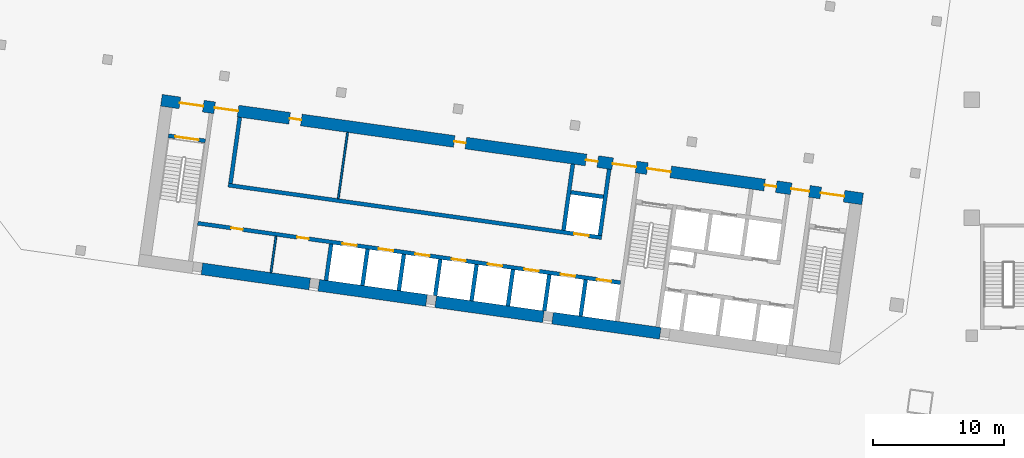
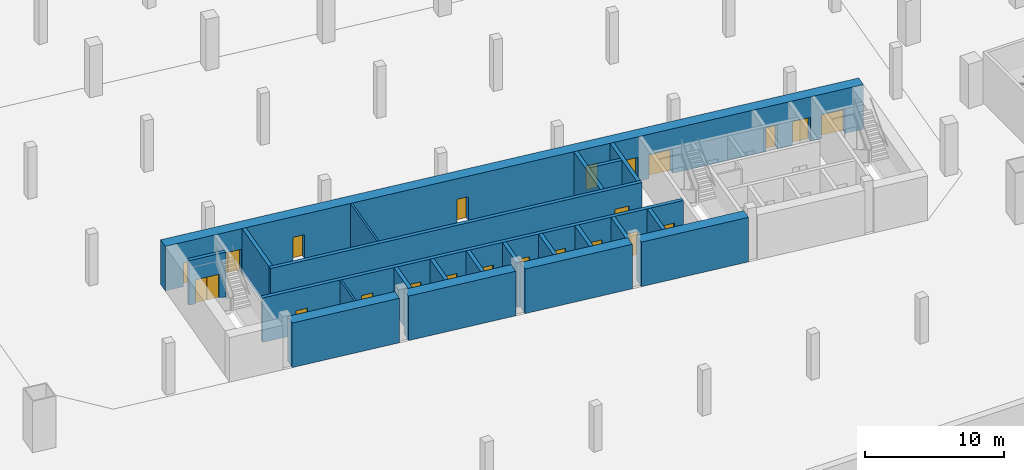
# One storey, part 3 of 17: 22 doors, 22 walls, 22 openings.
"""IFC4 building model written with IfcOpenShell, lengths in metres."""

from ifc_helpers import new_model, si_unit, direction, frame, frame_2d, origin, place, context, subcontext, project, spatial, rectangle, extrude, material, layer, layer_set, type_object, element, fill, save


model = new_model("IFC4")

# Units and contexts
model_context = context("Model", 3, precision=1e-05, world=origin(), true_north=direction((0.0, 1.0)))
body_context = subcontext(model_context, "Body", "Model", "MODEL_VIEW")
ifc_project = project(units=[si_unit("LENGTHUNIT", "METRE"), si_unit("AREAUNIT", "SQUARE_METRE"), si_unit("VOLUMEUNIT", "CUBIC_METRE"), si_unit("PLANEANGLEUNIT", "RADIAN"), si_unit("MASSUNIT", "GRAM", prefix="KILO")], contexts=[model_context])

# Site, building, storey
site_placement = place(None, origin())
site = spatial("IfcSite", under=ifc_project, at=site_placement, CompositionType="ELEMENT")
building_placement = place(site_placement, origin())
building = spatial("IfcBuilding", under=site, at=building_placement, Name="Mirante Cascada Hotel Towers", CompositionType="ELEMENT")
storey_placement = place(building_placement, frame((0.0, 0.0, -4.5)))
storey = spatial("IfcBuildingStorey", under=building, at=storey_placement, Name="B1", CompositionType="ELEMENT", Elevation=-4.5)

# Walls
ifc_material_1 = material(Name="Masonry block", Category="masonry")
ifc_layer_1 = layer(ifc_material_1, 0.15)
ifc_layer_set_1 = layer_set([ifc_layer_1], Name="Core room partition 150 block EI 30")
wall_type_1 = type_object("IfcWallType", Name="Core room partition 150 block EI 30", PredefinedType="PARTITIONING", material=ifc_layer_set_1)
wall_1_placement = place(storey_placement, frame((-80.448, -13.1879, 0.0), z_axis=(0.0, 0.0, 1.0), x_axis=(0.139176, 0.9902677, 0.0)))
element("IfcWall", 1, at=wall_1_placement, inside=storey, type_object=wall_type_1, Name="Core wall partition T1 B1 4", PredefinedType="PARTITIONING", context=body_context, shape_type="SweptSolid", body=[
    extrude(rectangle(XDim=2.8001, YDim=0.15, at=frame_2d((1.4, 0.0))), origin(), (0.0, 0.0, 1.0), 3.9),
])
wall_2_placement = place(storey_placement, frame((-75.3131, -7.5476, 0.0), z_axis=(0.0, 0.0, 1.0), x_axis=(0.1391782, 0.9902673, 0.0)))
element("IfcWall", 2, at=wall_2_placement, inside=storey, type_object=wall_type_1, Name="Core wall partition T1 B1 5", PredefinedType="PARTITIONING", context=body_context, shape_type="SweptSolid", body=[
    extrude(rectangle(XDim=5.0999, YDim=0.15, at=frame_2d((2.55, 0.0))), origin(), (0.0, 0.0, 1.0), 3.9),
])

# Wall, opening, door
ifc_material_2 = material(Name="Concrete C50/60", Category="concrete")
ifc_layer_2 = layer(ifc_material_2, 0.3)
ifc_layer_set_2 = layer_set([ifc_layer_2], Name="RC core wall 300 C50/60")
wall_type_2 = type_object("IfcWallType", Name="RC core wall 300 C50/60", PredefinedType="SHEAR", material=ifc_layer_set_2)
wall_3_placement = place(storey_placement, frame((-85.4489, -3.1441, 0.0), z_axis=(0.0, 0.0, 1.0), x_axis=(-0.9902697, 0.1391613, 0.0)))
wall_3 = element("IfcWall", 3, at=wall_3_placement, inside=storey, type_object=wall_type_2, Name="Core wall T1:B1:11", PredefinedType="SHEAR", context=body_context, shape_type="SweptSolid", body=[
    extrude(rectangle(XDim=2.8499, YDim=0.3, at=frame_2d((1.425, 0.0))), origin(), (0.0, 0.0, 1.0), 3.9),
])
opening_1_placement = place(wall_3_placement, frame((0.525, 0.0, 0.0)))
opening_1 = element("IfcOpeningElement", 4, at=opening_1_placement, cuts=wall_3, Name="Opening D1-B1-C20", PredefinedType="OPENING", context=body_context, shape_type="SweptSolid", body=[
    extrude(rectangle(XDim=1.8, YDim=2.1, at=frame_2d((0.9, 1.05))), frame((0.0, 0.15, 0.0), z_axis=(0.0, -1.0, 0.0), x_axis=(1.0, 0.0, 0.0)), (0.0, 0.0, 1.0), 0.3),
])
ifc_material_3 = material(Name="Hollow metal fire door leaf")
door_type_1 = type_object("IfcDoorType", Name="Double fire door 1800x2100 FD60", OperationType="DOUBLE_DOOR_SINGLE_SWING", PredefinedType="DOOR", material=ifc_material_3)
door_1_placement = place(opening_1_placement, origin())
door_1 = element("IfcDoor", 5, at=door_1_placement, inside=storey, type_object=door_type_1, Name="Stair door T1 B1 20", OperationType="DOUBLE_DOOR_SINGLE_SWING", OverallHeight=2.1, OverallWidth=1.8, PredefinedType="DOOR", context=body_context, shape_type="SweptSolid", body=[
    extrude(rectangle(XDim=0.895, YDim=2.1, at=frame_2d((0.4475, 1.05))), frame((0.0, 0.025, 0.0), z_axis=(0.0, -1.0, 0.0), x_axis=(1.0, 0.0, 0.0)), (0.0, 0.0, 1.0), 0.05),
    extrude(rectangle(XDim=0.895, YDim=2.1, at=frame_2d((1.3525, 1.05))), frame((0.0, 0.025, 0.0), z_axis=(0.0, -1.0, 0.0), x_axis=(1.0, 0.0, 0.0)), (0.0, 0.0, 1.0), 0.05),
])
fill(opening_1, door_1)

# Wall, openings, doors
wall_4_placement = place(storey_placement, frame((-53.7953, -13.9547, 0.0), z_axis=(0.0, 0.0, 1.0), x_axis=(-0.990268, 0.1391733, 0.0)))
wall_4 = element("IfcWall", 6, at=wall_4_placement, inside=storey, type_object=wall_type_2, Name="Core wall T1:B1:24", PredefinedType="SHEAR", context=body_context, shape_type="SweptSolid", body=[
    extrude(rectangle(XDim=32.5501, YDim=0.3, at=frame_2d((16.275, 0.0))), origin(), (0.0, 0.0, 1.0), 3.9),
])
opening_2_placement = place(wall_4_placement, frame((0.7, 0.0, 0.0)))
opening_2 = element("IfcOpeningElement", 7, at=opening_2_placement, cuts=wall_4, Name="Opening LD", PredefinedType="OPENING", context=body_context, shape_type="SweptSolid", body=[
    extrude(rectangle(XDim=1.1, YDim=2.1, at=frame_2d((0.55, 1.05))), frame((0.0, 0.15, 0.0), z_axis=(0.0, -1.0, 0.0), x_axis=(1.0, 0.0, 0.0)), (0.0, 0.0, 1.0), 0.3),
])
opening_3_placement = place(wall_4_placement, frame((3.5, 0.0, 0.0)))
opening_3 = element("IfcOpeningElement", 8, at=opening_3_placement, cuts=wall_4, Name="Opening LD", PredefinedType="OPENING", context=body_context, shape_type="SweptSolid", body=[
    extrude(rectangle(XDim=1.1, YDim=2.1, at=frame_2d((0.55, 1.05))), frame((0.0, 0.15, 0.0), z_axis=(0.0, -1.0, 0.0), x_axis=(1.0, 0.0, 0.0)), (0.0, 0.0, 1.0), 0.3),
])
opening_4_placement = place(wall_4_placement, frame((6.3, 0.0, 0.0)))
opening_4 = element("IfcOpeningElement", 9, at=opening_4_placement, cuts=wall_4, Name="Opening LD", PredefinedType="OPENING", context=body_context, shape_type="SweptSolid", body=[
    extrude(rectangle(XDim=1.1, YDim=2.1, at=frame_2d((0.55, 1.05))), frame((0.0, 0.15, 0.0), z_axis=(0.0, -1.0, 0.0), x_axis=(1.0, 0.0, 0.0)), (0.0, 0.0, 1.0), 0.3),
])
opening_5_placement = place(wall_4_placement, frame((9.1, 0.0, 0.0)))
opening_5 = element("IfcOpeningElement", 10, at=opening_5_placement, cuts=wall_4, Name="Opening LD", PredefinedType="OPENING", context=body_context, shape_type="SweptSolid", body=[
    extrude(rectangle(XDim=1.1, YDim=2.1, at=frame_2d((0.55, 1.05))), frame((0.0, 0.15, 0.0), z_axis=(0.0, -1.0, 0.0), x_axis=(1.0, 0.0, 0.0)), (0.0, 0.0, 1.0), 0.3),
])
opening_6_placement = place(wall_4_placement, frame((11.9, 0.0, 0.0)))
opening_6 = element("IfcOpeningElement", 11, at=opening_6_placement, cuts=wall_4, Name="Opening LD", PredefinedType="OPENING", context=body_context, shape_type="SweptSolid", body=[
    extrude(rectangle(XDim=1.1, YDim=2.1, at=frame_2d((0.55, 1.05))), frame((0.0, 0.15, 0.0), z_axis=(0.0, -1.0, 0.0), x_axis=(1.0, 0.0, 0.0)), (0.0, 0.0, 1.0), 0.3),
])
opening_7_placement = place(wall_4_placement, frame((14.7, 0.0, 0.0)))
opening_7 = element("IfcOpeningElement", 12, at=opening_7_placement, cuts=wall_4, Name="Opening LD", PredefinedType="OPENING", context=body_context, shape_type="SweptSolid", body=[
    extrude(rectangle(XDim=1.1, YDim=2.1, at=frame_2d((0.55, 1.05))), frame((0.0, 0.15, 0.0), z_axis=(0.0, -1.0, 0.0), x_axis=(1.0, 0.0, 0.0)), (0.0, 0.0, 1.0), 0.3),
])
opening_8_placement = place(wall_4_placement, frame((17.5, 0.0, 0.0)))
opening_8 = element("IfcOpeningElement", 13, at=opening_8_placement, cuts=wall_4, Name="Opening LD", PredefinedType="OPENING", context=body_context, shape_type="SweptSolid", body=[
    extrude(rectangle(XDim=1.1, YDim=2.1, at=frame_2d((0.55, 1.05))), frame((0.0, 0.15, 0.0), z_axis=(0.0, -1.0, 0.0), x_axis=(1.0, 0.0, 0.0)), (0.0, 0.0, 1.0), 0.3),
])
opening_9_placement = place(wall_4_placement, frame((20.3, 0.0, 0.0)))
opening_9 = element("IfcOpeningElement", 14, at=opening_9_placement, cuts=wall_4, Name="Opening LD", PredefinedType="OPENING", context=body_context, shape_type="SweptSolid", body=[
    extrude(rectangle(XDim=1.1, YDim=2.1, at=frame_2d((0.55, 1.05))), frame((0.0, 0.15, 0.0), z_axis=(0.0, -1.0, 0.0), x_axis=(1.0, 0.0, 0.0)), (0.0, 0.0, 1.0), 0.3),
])
opening_10_placement = place(wall_4_placement, frame((24.0, 0.0, 0.0)))
opening_10 = element("IfcOpeningElement", 15, at=opening_10_placement, cuts=wall_4, Name="Opening D1-B1-C28", PredefinedType="OPENING", context=body_context, shape_type="SweptSolid", body=[
    extrude(rectangle(XDim=0.9, YDim=2.1, at=frame_2d((0.45, 1.05))), frame((0.0, 0.15, 0.0), z_axis=(0.0, -1.0, 0.0), x_axis=(1.0, 0.0, 0.0)), (0.0, 0.0, 1.0), 0.3),
])
opening_11_placement = place(wall_4_placement, frame((29.075, 0.0, 0.0)))
opening_11 = element("IfcOpeningElement", 16, at=opening_11_placement, cuts=wall_4, Name="Opening D1-B1-C29", PredefinedType="OPENING", context=body_context, shape_type="SweptSolid", body=[
    extrude(rectangle(XDim=0.9, YDim=2.1, at=frame_2d((0.45, 1.05))), frame((0.0, 0.15, 0.0), z_axis=(0.0, -1.0, 0.0), x_axis=(1.0, 0.0, 0.0)), (0.0, 0.0, 1.0), 0.3),
])
ifc_material_4 = material(Name="Hollow metal fire door leaf")
door_type_2 = type_object("IfcDoorType", Name="Fire door 900x2100 FD60", OperationType="NOTDEFINED", PredefinedType="DOOR", material=ifc_material_4)
door_2_placement = place(opening_10_placement, origin())
door_2 = element("IfcDoor", 17, at=door_2_placement, inside=storey, type_object=door_type_2, Name="Room door T1 B1 28", OperationType="SINGLE_SWING_LEFT", OverallHeight=2.1, OverallWidth=0.9, PredefinedType="DOOR", context=body_context, shape_type="SweptSolid", body=[
    extrude(rectangle(XDim=0.9, YDim=2.1, at=frame_2d((0.45, 1.05))), frame((0.0, 0.025, 0.0), z_axis=(0.0, -1.0, 0.0), x_axis=(1.0, 0.0, 0.0)), (0.0, 0.0, 1.0), 0.05),
])
fill(opening_10, door_2)
door_3_placement = place(opening_11_placement, origin())
door_3 = element("IfcDoor", 18, at=door_3_placement, inside=storey, type_object=door_type_2, Name="Room door T1 B1 29", OperationType="SINGLE_SWING_LEFT", OverallHeight=2.1, OverallWidth=0.9, PredefinedType="DOOR", context=body_context, shape_type="SweptSolid", body=[
    extrude(rectangle(XDim=0.9, YDim=2.1, at=frame_2d((0.45, 1.05))), frame((0.0, 0.025, 0.0), z_axis=(0.0, -1.0, 0.0), x_axis=(1.0, 0.0, 0.0)), (0.0, 0.0, 1.0), 0.05),
])
fill(opening_11, door_3)
ifc_material_5 = material(Name="Stainless steel", Category="steel")
door_type_3 = type_object("IfcDoorType", Name="Lift landing door 1100x2100 EI 120", OperationType="DOUBLE_DOOR_SLIDING", PredefinedType="DOOR", material=ifc_material_5)
door_4_placement = place(opening_2_placement, origin())
door_4 = element("IfcDoor", 19, at=door_4_placement, inside=storey, type_object=door_type_3, Name="Lift landing door LR1-1 B1", OperationType="DOUBLE_DOOR_SLIDING", OverallHeight=2.1, OverallWidth=1.1, PredefinedType="DOOR", context=body_context, shape_type="SweptSolid", body=[
    extrude(rectangle(XDim=0.545, YDim=2.1, at=frame_2d((0.2725, 1.05))), frame((0.0, 0.025, 0.0), z_axis=(0.0, -1.0, 0.0), x_axis=(1.0, 0.0, 0.0)), (0.0, 0.0, 1.0), 0.05),
    extrude(rectangle(XDim=0.545, YDim=2.1, at=frame_2d((0.8275, 1.05))), frame((0.0, 0.025, 0.0), z_axis=(0.0, -1.0, 0.0), x_axis=(1.0, 0.0, 0.0)), (0.0, 0.0, 1.0), 0.05),
])
fill(opening_2, door_4)
door_5_placement = place(opening_3_placement, origin())
door_5 = element("IfcDoor", 20, at=door_5_placement, inside=storey, type_object=door_type_3, Name="Lift landing door LR1-2 B1", OperationType="DOUBLE_DOOR_SLIDING", OverallHeight=2.1, OverallWidth=1.1, PredefinedType="DOOR", context=body_context, shape_type="SweptSolid", body=[
    extrude(rectangle(XDim=0.545, YDim=2.1, at=frame_2d((0.2725, 1.05))), frame((0.0, 0.025, 0.0), z_axis=(0.0, -1.0, 0.0), x_axis=(1.0, 0.0, 0.0)), (0.0, 0.0, 1.0), 0.05),
    extrude(rectangle(XDim=0.545, YDim=2.1, at=frame_2d((0.8275, 1.05))), frame((0.0, 0.025, 0.0), z_axis=(0.0, -1.0, 0.0), x_axis=(1.0, 0.0, 0.0)), (0.0, 0.0, 1.0), 0.05),
])
fill(opening_3, door_5)
door_6_placement = place(opening_4_placement, origin())
door_6 = element("IfcDoor", 21, at=door_6_placement, inside=storey, type_object=door_type_3, Name="Lift landing door SV1-1 B1", OperationType="DOUBLE_DOOR_SLIDING", OverallHeight=2.1, OverallWidth=1.1, PredefinedType="DOOR", context=body_context, shape_type="SweptSolid", body=[
    extrude(rectangle(XDim=0.545, YDim=2.1, at=frame_2d((0.2725, 1.05))), frame((0.0, 0.025, 0.0), z_axis=(0.0, -1.0, 0.0), x_axis=(1.0, 0.0, 0.0)), (0.0, 0.0, 1.0), 0.05),
    extrude(rectangle(XDim=0.545, YDim=2.1, at=frame_2d((0.8275, 1.05))), frame((0.0, 0.025, 0.0), z_axis=(0.0, -1.0, 0.0), x_axis=(1.0, 0.0, 0.0)), (0.0, 0.0, 1.0), 0.05),
])
fill(opening_4, door_6)
door_7_placement = place(opening_5_placement, origin())
door_7 = element("IfcDoor", 22, at=door_7_placement, inside=storey, type_object=door_type_3, Name="Lift landing door SV1-2 B1", OperationType="DOUBLE_DOOR_SLIDING", OverallHeight=2.1, OverallWidth=1.1, PredefinedType="DOOR", context=body_context, shape_type="SweptSolid", body=[
    extrude(rectangle(XDim=0.545, YDim=2.1, at=frame_2d((0.2725, 1.05))), frame((0.0, 0.025, 0.0), z_axis=(0.0, -1.0, 0.0), x_axis=(1.0, 0.0, 0.0)), (0.0, 0.0, 1.0), 0.05),
    extrude(rectangle(XDim=0.545, YDim=2.1, at=frame_2d((0.8275, 1.05))), frame((0.0, 0.025, 0.0), z_axis=(0.0, -1.0, 0.0), x_axis=(1.0, 0.0, 0.0)), (0.0, 0.0, 1.0), 0.05),
])
fill(opening_5, door_7)
door_8_placement = place(opening_6_placement, origin())
door_8 = element("IfcDoor", 23, at=door_8_placement, inside=storey, type_object=door_type_3, Name="Lift landing door SV1-3 B1", OperationType="DOUBLE_DOOR_SLIDING", OverallHeight=2.1, OverallWidth=1.1, PredefinedType="DOOR", context=body_context, shape_type="SweptSolid", body=[
    extrude(rectangle(XDim=0.545, YDim=2.1, at=frame_2d((0.2725, 1.05))), frame((0.0, 0.025, 0.0), z_axis=(0.0, -1.0, 0.0), x_axis=(1.0, 0.0, 0.0)), (0.0, 0.0, 1.0), 0.05),
    extrude(rectangle(XDim=0.545, YDim=2.1, at=frame_2d((0.8275, 1.05))), frame((0.0, 0.025, 0.0), z_axis=(0.0, -1.0, 0.0), x_axis=(1.0, 0.0, 0.0)), (0.0, 0.0, 1.0), 0.05),
])
fill(opening_6, door_8)
door_9_placement = place(opening_7_placement, origin())
door_9 = element("IfcDoor", 24, at=door_9_placement, inside=storey, type_object=door_type_3, Name="Lift landing door SV1-4 B1", OperationType="DOUBLE_DOOR_SLIDING", OverallHeight=2.1, OverallWidth=1.1, PredefinedType="DOOR", context=body_context, shape_type="SweptSolid", body=[
    extrude(rectangle(XDim=0.545, YDim=2.1, at=frame_2d((0.2725, 1.05))), frame((0.0, 0.025, 0.0), z_axis=(0.0, -1.0, 0.0), x_axis=(1.0, 0.0, 0.0)), (0.0, 0.0, 1.0), 0.05),
    extrude(rectangle(XDim=0.545, YDim=2.1, at=frame_2d((0.8275, 1.05))), frame((0.0, 0.025, 0.0), z_axis=(0.0, -1.0, 0.0), x_axis=(1.0, 0.0, 0.0)), (0.0, 0.0, 1.0), 0.05),
])
fill(opening_7, door_9)
door_10_placement = place(opening_8_placement, origin())
door_10 = element("IfcDoor", 25, at=door_10_placement, inside=storey, type_object=door_type_3, Name="Lift landing door PS1-1 B1", OperationType="DOUBLE_DOOR_SLIDING", OverallHeight=2.1, OverallWidth=1.1, PredefinedType="DOOR", context=body_context, shape_type="SweptSolid", body=[
    extrude(rectangle(XDim=0.545, YDim=2.1, at=frame_2d((0.2725, 1.05))), frame((0.0, 0.025, 0.0), z_axis=(0.0, -1.0, 0.0), x_axis=(1.0, 0.0, 0.0)), (0.0, 0.0, 1.0), 0.05),
    extrude(rectangle(XDim=0.545, YDim=2.1, at=frame_2d((0.8275, 1.05))), frame((0.0, 0.025, 0.0), z_axis=(0.0, -1.0, 0.0), x_axis=(1.0, 0.0, 0.0)), (0.0, 0.0, 1.0), 0.05),
])
fill(opening_8, door_10)
door_11_placement = place(opening_9_placement, origin())
door_11 = element("IfcDoor", 26, at=door_11_placement, inside=storey, type_object=door_type_3, Name="Lift landing door PS1-2 B1", OperationType="DOUBLE_DOOR_SLIDING", OverallHeight=2.1, OverallWidth=1.1, PredefinedType="DOOR", context=body_context, shape_type="SweptSolid", body=[
    extrude(rectangle(XDim=0.545, YDim=2.1, at=frame_2d((0.2725, 1.05))), frame((0.0, 0.025, 0.0), z_axis=(0.0, -1.0, 0.0), x_axis=(1.0, 0.0, 0.0)), (0.0, 0.0, 1.0), 0.05),
    extrude(rectangle(XDim=0.545, YDim=2.1, at=frame_2d((0.8275, 1.05))), frame((0.0, 0.025, 0.0), z_axis=(0.0, -1.0, 0.0), x_axis=(1.0, 0.0, 0.0)), (0.0, 0.0, 1.0), 0.05),
])
fill(opening_9, door_11)

# Walls
for number, where, z_axis, x_axis, name in (
    (27, (-56.8301, -16.5072, 0.0), (0.0, 0.0, 1.0), (0.139176, 0.9902677, 0.0), "Core wall T1:B1:25"),
    (28, (-59.6029, -16.1175, 0.0), (0.0, 0.0, 1.0), (0.139176, 0.9902677, 0.0), "Core wall T1:B1:26"),
    (29, (-62.3756, -15.7278, 0.0), (0.0, 0.0, 1.0), (0.139176, 0.9902677, 0.0), "Core wall T1:B1:27"),
    (30, (-65.1484, -15.3381, 0.0), (0.0, 0.0, 1.0), (0.139176, 0.9902677, 0.0), "Core wall T1:B1:28"),
):
    element("IfcWall", number, at=place(storey_placement, frame(where, z_axis=z_axis, x_axis=x_axis)), inside=storey, type_object=wall_type_2, Name=name, PredefinedType="SHEAR", context=body_context, shape_type="SweptSolid", body=[
        extrude(rectangle(XDim=2.8001, YDim=0.3, at=frame_2d((1.4, 0.0))), origin(), (0.0, 0.0, 1.0), 3.9),
    ])
for number, where, z_axis, x_axis, name in (
    (31, (-67.9211, -14.9484, 0.0), (0.0, 0.0, 1.0), (0.139181, 0.990267, 0.0), "Core wall T1:B1:29"),
    (32, (-70.6939, -14.5587, 0.0), (0.0, 0.0, 1.0), (0.139181, 0.990267, 0.0), "Core wall T1:B1:30"),
    (33, (-73.4666, -14.169, 0.0), (0.0, 0.0, 1.0), (0.139181, 0.990267, 0.0), "Core wall T1:B1:31"),
):
    element("IfcWall", number, at=place(storey_placement, frame(where, z_axis=z_axis, x_axis=x_axis)), inside=storey, type_object=wall_type_2, Name=name, PredefinedType="SHEAR", context=body_context, shape_type="SweptSolid", body=[
        extrude(rectangle(XDim=2.8, YDim=0.3, at=frame_2d((1.4, 0.0))), origin(), (0.0, 0.0, 1.0), 3.9),
    ])
wall_5_placement = place(storey_placement, frame((-76.2394, -13.7794, 0.0), z_axis=(0.0, 0.0, 1.0), x_axis=(0.139176, 0.9902677, 0.0)))
element("IfcWall", 34, at=wall_5_placement, inside=storey, type_object=wall_type_2, Name="Core wall T1:B1:32", PredefinedType="SHEAR", context=body_context, shape_type="SweptSolid", body=[
    extrude(rectangle(XDim=2.8001, YDim=0.3, at=frame_2d((1.4, 0.0))), origin(), (0.0, 0.0, 1.0), 3.9),
])

# Wall, opening, door
wall_6_placement = place(storey_placement, frame((-55.2315, -10.5214, 0.0), z_axis=(0.0, 0.0, 1.0), x_axis=(-0.9902682, 0.1391722, 0.0)))
wall_6 = element("IfcWall", 35, at=wall_6_placement, inside=storey, type_object=wall_type_2, Name="Core wall T1:B1:34", PredefinedType="SHEAR", context=body_context, shape_type="SweptSolid", body=[
    extrude(rectangle(XDim=28.75, YDim=0.3, at=frame_2d((14.375, 0.0))), origin(), (0.0, 0.0, 1.0), 3.9),
])
opening_12_placement = place(wall_6_placement, frame((1.0, 0.0, 0.0)))
opening_12 = element("IfcOpeningElement", 36, at=opening_12_placement, cuts=wall_6, Name="Opening LD", PredefinedType="OPENING", context=body_context, shape_type="SweptSolid", body=[
    extrude(rectangle(XDim=1.1, YDim=2.1, at=frame_2d((0.55, 1.05))), frame((0.0, 0.15, 0.0), z_axis=(0.0, -1.0, 0.0), x_axis=(1.0, 0.0, 0.0)), (0.0, 0.0, 1.0), 0.3),
])
door_12_placement = place(opening_12_placement, origin())
door_12 = element("IfcDoor", 37, at=door_12_placement, inside=storey, type_object=door_type_3, Name="Lift landing door LR1-3 B1", OperationType="DOUBLE_DOOR_SLIDING", OverallHeight=2.1, OverallWidth=1.1, PredefinedType="DOOR", context=body_context, shape_type="SweptSolid", body=[
    extrude(rectangle(XDim=0.545, YDim=2.1, at=frame_2d((0.2725, 1.05))), frame((0.0, 0.025, 0.0), z_axis=(0.0, -1.0, 0.0), x_axis=(1.0, 0.0, 0.0)), (0.0, 0.0, 1.0), 0.05),
    extrude(rectangle(XDim=0.545, YDim=2.1, at=frame_2d((0.8275, 1.05))), frame((0.0, 0.025, 0.0), z_axis=(0.0, -1.0, 0.0), x_axis=(1.0, 0.0, 0.0)), (0.0, 0.0, 1.0), 0.05),
])
fill(opening_12, door_12)

# Walls
for number, where, z_axis, x_axis, name in (
    (38, (-55.3592, -10.352, 0.0), (0.0, 0.0, 1.0), (0.1391755, 0.9902677, 0.0), "Core wall T1:B1:35"),
    (39, (-83.5323, -6.3925, 0.0), (0.0, 0.0, 1.0), (0.1391755, 0.9902677, 0.0), "Core wall T1:B1:36"),
    (40, (-58.1319, -9.9623, 0.0), (0.0, 0.0, 1.0), (0.1391755, 0.9902677, 0.0), "Core wall T1:B1:37"),
):
    element("IfcWall", number, at=place(storey_placement, frame(where, z_axis=z_axis, x_axis=x_axis)), inside=storey, type_object=wall_type_2, Name=name, PredefinedType="SHEAR", context=body_context, shape_type="SweptSolid", body=[
        extrude(rectangle(XDim=5.1, YDim=0.3, at=frame_2d((2.55, 0.0))), origin(), (0.0, 0.0, 1.0), 3.9),
    ])
wall_7_placement = place(storey_placement, frame((-55.0971, -7.4098, 0.0), z_axis=(0.0, 0.0, 1.0), x_axis=(-0.9902701, 0.1391586, 0.0)))
element("IfcWall", 41, at=wall_7_placement, inside=storey, type_object=wall_type_2, Name="Core wall T1:B1:38", PredefinedType="SHEAR", context=body_context, shape_type="SweptSolid", body=[
    extrude(rectangle(XDim=2.5, YDim=0.3, at=frame_2d((1.25, 0.0))), origin(), (0.0, 0.0, 1.0), 3.9),
])
ifc_material_6 = material(Name="Concrete C50/60", Category="concrete")
ifc_layer_3 = layer(ifc_material_6, 0.9)
ifc_layer_set_3 = layer_set([ifc_layer_3], Name="RC core wall 900 C50/60")
wall_type_3 = type_object("IfcWallType", Name="RC core wall 900 C50/60", PredefinedType="SHEAR", material=ifc_layer_set_3)
for number, where, z_axis, x_axis, name in (
    (42, (-50.7531, -17.8156, 0.0), (0.0, 0.0, 1.0), (-0.9902686, 0.1391692, 0.0), "Core wall T1:B1:1.3"),
    (43, (-59.6655, -16.5631, 0.0), (0.0, 0.0, 1.0), (-0.9902686, 0.1391692, 0.0), "Core wall T1:B1:1.4"),
    (44, (-68.5779, -15.3105, 0.0), (0.0, 0.0, 1.0), (-0.9902686, 0.1391692, 0.0), "Core wall T1:B1:1.5"),
    (45, (-77.4903, -14.058, 0.0), (0.0, 0.0, 1.0), (-0.990267, 0.139181, 0.0), "Core wall T1:B1:1.6"),
):
    element("IfcWall", number, at=place(storey_placement, frame(where, z_axis=z_axis, x_axis=x_axis)), inside=storey, type_object=wall_type_3, Name=name, PredefinedType="SHEAR", context=body_context, shape_type="SweptSolid", body=[
        extrude(rectangle(XDim=8.3, YDim=0.9, at=frame_2d((4.15, 0.0))), origin(), (0.0, 0.0, 1.0), 3.9),
    ])

# Wall, openings, doors
wall_8_placement = place(storey_placement, frame((-35.326, -7.5629, 0.0), z_axis=(0.0, 0.0, 1.0), x_axis=(-0.9902679, 0.139174, 0.0)))
wall_8 = element("IfcWall", 46, at=wall_8_placement, inside=storey, type_object=wall_type_3, Name="Core wall T1:B1:2", PredefinedType="SHEAR", context=body_context, shape_type="SweptSolid", body=[
    extrude(rectangle(XDim=54.0, YDim=0.9, at=frame_2d((27.0, 0.0))), origin(), (0.0, 0.0, 1.0), 3.9),
])
opening_13_placement = place(wall_8_placement, frame((1.425, 0.0, 0.0)))
opening_13 = element("IfcOpeningElement", 47, at=opening_13_placement, cuts=wall_8, Name="Opening D1-B1-C17", PredefinedType="OPENING", context=body_context, shape_type="SweptSolid", body=[
    extrude(rectangle(XDim=1.8, YDim=2.1, at=frame_2d((0.9, 1.05))), frame((0.0, 0.45, 0.0), z_axis=(0.0, -1.0, 0.0), x_axis=(1.0, 0.0, 0.0)), (0.0, 0.0, 1.0), 0.9),
])
opening_14_placement = place(wall_8_placement, frame((14.775, 0.0, 0.0)))
opening_14 = element("IfcOpeningElement", 48, at=opening_14_placement, cuts=wall_8, Name="Opening D1-B1-C19", PredefinedType="OPENING", context=body_context, shape_type="SweptSolid", body=[
    extrude(rectangle(XDim=1.8, YDim=2.1, at=frame_2d((0.9, 1.05))), frame((0.0, 0.45, 0.0), z_axis=(0.0, -1.0, 0.0), x_axis=(1.0, 0.0, 0.0)), (0.0, 0.0, 1.0), 0.9),
])
opening_15_placement = place(wall_8_placement, frame((50.775, 0.0, 0.0)))
opening_15 = element("IfcOpeningElement", 49, at=opening_15_placement, cuts=wall_8, Name="Opening D1-B1-C21", PredefinedType="OPENING", context=body_context, shape_type="SweptSolid", body=[
    extrude(rectangle(XDim=1.8, YDim=2.1, at=frame_2d((0.9, 1.05))), frame((0.0, 0.45, 0.0), z_axis=(0.0, -1.0, 0.0), x_axis=(1.0, 0.0, 0.0)), (0.0, 0.0, 1.0), 0.9),
])
opening_16_placement = place(wall_8_placement, frame((4.1, 0.0, 0.0)))
opening_16 = element("IfcOpeningElement", 50, at=opening_16_placement, cuts=wall_8, Name="Opening D1-B1-C22", PredefinedType="OPENING", context=body_context, shape_type="SweptSolid", body=[
    extrude(rectangle(XDim=1.4, YDim=2.1, at=frame_2d((0.7, 1.05))), frame((0.0, 0.45, 0.0), z_axis=(0.0, -1.0, 0.0), x_axis=(1.0, 0.0, 0.0)), (0.0, 0.0, 1.0), 0.9),
])
opening_17_placement = place(wall_8_placement, frame((17.45, 0.0, 0.0)))
opening_17 = element("IfcOpeningElement", 51, at=opening_17_placement, cuts=wall_8, Name="Opening D1-B1-C23", PredefinedType="OPENING", context=body_context, shape_type="SweptSolid", body=[
    extrude(rectangle(XDim=1.8, YDim=2.1, at=frame_2d((0.9, 1.05))), frame((0.0, 0.45, 0.0), z_axis=(0.0, -1.0, 0.0), x_axis=(1.0, 0.0, 0.0)), (0.0, 0.0, 1.0), 0.9),
])
opening_18_placement = place(wall_8_placement, frame((48.1, 0.0, 0.0)))
opening_18 = element("IfcOpeningElement", 52, at=opening_18_placement, cuts=wall_8, Name="Opening D1-B1-C24", PredefinedType="OPENING", context=body_context, shape_type="SweptSolid", body=[
    extrude(rectangle(XDim=1.8, YDim=2.1, at=frame_2d((0.9, 1.05))), frame((0.0, 0.45, 0.0), z_axis=(0.0, -1.0, 0.0), x_axis=(1.0, 0.0, 0.0)), (0.0, 0.0, 1.0), 0.9),
])
opening_19_placement = place(wall_8_placement, frame((6.65, 0.0, 0.0)))
opening_19 = element("IfcOpeningElement", 53, at=opening_19_placement, cuts=wall_8, Name="Opening D1-B1-C27", PredefinedType="OPENING", context=body_context, shape_type="SweptSolid", body=[
    extrude(rectangle(XDim=0.9, YDim=2.1, at=frame_2d((0.45, 1.05))), frame((0.0, 0.45, 0.0), z_axis=(0.0, -1.0, 0.0), x_axis=(1.0, 0.0, 0.0)), (0.0, 0.0, 1.0), 0.9),
])
opening_20_placement = place(wall_8_placement, frame((20.4, 0.0, 0.0)))
opening_20 = element("IfcOpeningElement", 54, at=opening_20_placement, cuts=wall_8, Name="Opening D1-B1-C30", PredefinedType="OPENING", context=body_context, shape_type="SweptSolid", body=[
    extrude(rectangle(XDim=0.9, YDim=2.1, at=frame_2d((0.45, 1.05))), frame((0.0, 0.45, 0.0), z_axis=(0.0, -1.0, 0.0), x_axis=(1.0, 0.0, 0.0)), (0.0, 0.0, 1.0), 0.9),
])
opening_21_placement = place(wall_8_placement, frame((30.55, 0.0, 0.0)))
opening_21 = element("IfcOpeningElement", 55, at=opening_21_placement, cuts=wall_8, Name="Opening D1-B1-C31", PredefinedType="OPENING", context=body_context, shape_type="SweptSolid", body=[
    extrude(rectangle(XDim=0.9, YDim=2.1, at=frame_2d((0.45, 1.05))), frame((0.0, 0.45, 0.0), z_axis=(0.0, -1.0, 0.0), x_axis=(1.0, 0.0, 0.0)), (0.0, 0.0, 1.0), 0.9),
])
opening_22_placement = place(wall_8_placement, frame((43.225, 0.0, 0.0)))
opening_22 = element("IfcOpeningElement", 56, at=opening_22_placement, cuts=wall_8, Name="Opening D1-B1-C32", PredefinedType="OPENING", context=body_context, shape_type="SweptSolid", body=[
    extrude(rectangle(XDim=0.9, YDim=2.1, at=frame_2d((0.45, 1.05))), frame((0.0, 0.45, 0.0), z_axis=(0.0, -1.0, 0.0), x_axis=(1.0, 0.0, 0.0)), (0.0, 0.0, 1.0), 0.9),
])
ifc_material_7 = material(Name="Hollow metal fire door leaf")
door_type_4 = type_object("IfcDoorType", Name="Double fire door 1400x2100 FD60", OperationType="DOUBLE_DOOR_SINGLE_SWING", PredefinedType="DOOR", material=ifc_material_7)
door_13_placement = place(opening_16_placement, frame((1.4, 0.0, 0.0), z_axis=(0.0, 0.0, 1.0), x_axis=(-1.0, 0.0, 0.0)))
door_13 = element("IfcDoor", 57, at=door_13_placement, inside=storey, type_object=door_type_4, Name="Exit door to gallery T1 B1 22", OperationType="DOUBLE_DOOR_SINGLE_SWING", OverallHeight=2.1, OverallWidth=1.4, PredefinedType="DOOR", context=body_context, shape_type="SweptSolid", body=[
    extrude(rectangle(XDim=0.695, YDim=2.1, at=frame_2d((0.3475, 1.05))), frame((0.0, 0.025, 0.0), z_axis=(0.0, -1.0, 0.0), x_axis=(1.0, 0.0, 0.0)), (0.0, 0.0, 1.0), 0.05),
    extrude(rectangle(XDim=0.695, YDim=2.1, at=frame_2d((1.0525, 1.05))), frame((0.0, 0.025, 0.0), z_axis=(0.0, -1.0, 0.0), x_axis=(1.0, 0.0, 0.0)), (0.0, 0.0, 1.0), 0.05),
])
fill(opening_16, door_13)
door_14_placement = place(opening_13_placement, origin())
door_14 = element("IfcDoor", 58, at=door_14_placement, inside=storey, type_object=door_type_1, Name="Exit door to gallery T1 B1 17", OperationType="DOUBLE_DOOR_SINGLE_SWING", OverallHeight=2.1, OverallWidth=1.8, PredefinedType="DOOR", context=body_context, shape_type="SweptSolid", body=[
    extrude(rectangle(XDim=0.895, YDim=2.1, at=frame_2d((0.4475, 1.05))), frame((0.0, 0.025, 0.0), z_axis=(0.0, -1.0, 0.0), x_axis=(1.0, 0.0, 0.0)), (0.0, 0.0, 1.0), 0.05),
    extrude(rectangle(XDim=0.895, YDim=2.1, at=frame_2d((1.3525, 1.05))), frame((0.0, 0.025, 0.0), z_axis=(0.0, -1.0, 0.0), x_axis=(1.0, 0.0, 0.0)), (0.0, 0.0, 1.0), 0.05),
])
fill(opening_13, door_14)
door_15_placement = place(opening_14_placement, origin())
door_15 = element("IfcDoor", 59, at=door_15_placement, inside=storey, type_object=door_type_1, Name="Exit door to gallery T1 B1 19", OperationType="DOUBLE_DOOR_SINGLE_SWING", OverallHeight=2.1, OverallWidth=1.8, PredefinedType="DOOR", context=body_context, shape_type="SweptSolid", body=[
    extrude(rectangle(XDim=0.895, YDim=2.1, at=frame_2d((0.4475, 1.05))), frame((0.0, 0.025, 0.0), z_axis=(0.0, -1.0, 0.0), x_axis=(1.0, 0.0, 0.0)), (0.0, 0.0, 1.0), 0.05),
    extrude(rectangle(XDim=0.895, YDim=2.1, at=frame_2d((1.3525, 1.05))), frame((0.0, 0.025, 0.0), z_axis=(0.0, -1.0, 0.0), x_axis=(1.0, 0.0, 0.0)), (0.0, 0.0, 1.0), 0.05),
])
fill(opening_14, door_15)
door_16_placement = place(opening_15_placement, origin())
door_16 = element("IfcDoor", 60, at=door_16_placement, inside=storey, type_object=door_type_1, Name="Exit door to gallery T1 B1 21", OperationType="DOUBLE_DOOR_SINGLE_SWING", OverallHeight=2.1, OverallWidth=1.8, PredefinedType="DOOR", context=body_context, shape_type="SweptSolid", body=[
    extrude(rectangle(XDim=0.895, YDim=2.1, at=frame_2d((0.4475, 1.05))), frame((0.0, 0.025, 0.0), z_axis=(0.0, -1.0, 0.0), x_axis=(1.0, 0.0, 0.0)), (0.0, 0.0, 1.0), 0.05),
    extrude(rectangle(XDim=0.895, YDim=2.1, at=frame_2d((1.3525, 1.05))), frame((0.0, 0.025, 0.0), z_axis=(0.0, -1.0, 0.0), x_axis=(1.0, 0.0, 0.0)), (0.0, 0.0, 1.0), 0.05),
])
fill(opening_15, door_16)
door_17_placement = place(opening_17_placement, frame((1.8, 0.0, 0.0), z_axis=(0.0, 0.0, 1.0), x_axis=(-1.0, 0.0, 0.0)))
door_17 = element("IfcDoor", 61, at=door_17_placement, inside=storey, type_object=door_type_1, Name="Exit door to gallery T1 B1 23", OperationType="DOUBLE_DOOR_SINGLE_SWING", OverallHeight=2.1, OverallWidth=1.8, PredefinedType="DOOR", context=body_context, shape_type="SweptSolid", body=[
    extrude(rectangle(XDim=0.895, YDim=2.1, at=frame_2d((0.4475, 1.05))), frame((0.0, 0.025, 0.0), z_axis=(0.0, -1.0, 0.0), x_axis=(1.0, 0.0, 0.0)), (0.0, 0.0, 1.0), 0.05),
    extrude(rectangle(XDim=0.895, YDim=2.1, at=frame_2d((1.3525, 1.05))), frame((0.0, 0.025, 0.0), z_axis=(0.0, -1.0, 0.0), x_axis=(1.0, 0.0, 0.0)), (0.0, 0.0, 1.0), 0.05),
])
fill(opening_17, door_17)
door_18_placement = place(opening_18_placement, frame((1.8, 0.0, 0.0), z_axis=(0.0, 0.0, 1.0), x_axis=(-1.0, 0.0, 0.0)))
door_18 = element("IfcDoor", 62, at=door_18_placement, inside=storey, type_object=door_type_1, Name="Exit door to gallery T1 B1 24", OperationType="DOUBLE_DOOR_SINGLE_SWING", OverallHeight=2.1, OverallWidth=1.8, PredefinedType="DOOR", context=body_context, shape_type="SweptSolid", body=[
    extrude(rectangle(XDim=0.895, YDim=2.1, at=frame_2d((0.4475, 1.05))), frame((0.0, 0.025, 0.0), z_axis=(0.0, -1.0, 0.0), x_axis=(1.0, 0.0, 0.0)), (0.0, 0.0, 1.0), 0.05),
    extrude(rectangle(XDim=0.895, YDim=2.1, at=frame_2d((1.3525, 1.05))), frame((0.0, 0.025, 0.0), z_axis=(0.0, -1.0, 0.0), x_axis=(1.0, 0.0, 0.0)), (0.0, 0.0, 1.0), 0.05),
])
fill(opening_18, door_18)
door_19_placement = place(opening_19_placement, origin())
door_19 = element("IfcDoor", 63, at=door_19_placement, inside=storey, type_object=door_type_2, Name="Room door T1 B1 27", OperationType="SINGLE_SWING_RIGHT", OverallHeight=2.1, OverallWidth=0.9, PredefinedType="DOOR", context=body_context, shape_type="SweptSolid", body=[
    extrude(rectangle(XDim=0.9, YDim=2.1, at=frame_2d((0.45, 1.05))), frame((0.0, 0.025, 0.0), z_axis=(0.0, -1.0, 0.0), x_axis=(1.0, 0.0, 0.0)), (0.0, 0.0, 1.0), 0.05),
])
fill(opening_19, door_19)
door_20_placement = place(opening_20_placement, origin())
door_20 = element("IfcDoor", 64, at=door_20_placement, inside=storey, type_object=door_type_2, Name="Room door T1 B1 30", OperationType="SINGLE_SWING_RIGHT", OverallHeight=2.1, OverallWidth=0.9, PredefinedType="DOOR", context=body_context, shape_type="SweptSolid", body=[
    extrude(rectangle(XDim=0.9, YDim=2.1, at=frame_2d((0.45, 1.05))), frame((0.0, 0.025, 0.0), z_axis=(0.0, -1.0, 0.0), x_axis=(1.0, 0.0, 0.0)), (0.0, 0.0, 1.0), 0.05),
])
fill(opening_20, door_20)
door_21_placement = place(opening_21_placement, origin())
door_21 = element("IfcDoor", 65, at=door_21_placement, inside=storey, type_object=door_type_2, Name="Room door T1 B1 31", OperationType="SINGLE_SWING_LEFT", OverallHeight=2.1, OverallWidth=0.9, PredefinedType="DOOR", context=body_context, shape_type="SweptSolid", body=[
    extrude(rectangle(XDim=0.9, YDim=2.1, at=frame_2d((0.45, 1.05))), frame((0.0, 0.025, 0.0), z_axis=(0.0, -1.0, 0.0), x_axis=(1.0, 0.0, 0.0)), (0.0, 0.0, 1.0), 0.05),
])
fill(opening_21, door_21)
door_22_placement = place(opening_22_placement, origin())
door_22 = element("IfcDoor", 66, at=door_22_placement, inside=storey, type_object=door_type_2, Name="Room door T1 B1 32", OperationType="SINGLE_SWING_LEFT", OverallHeight=2.1, OverallWidth=0.9, PredefinedType="DOOR", context=body_context, shape_type="SweptSolid", body=[
    extrude(rectangle(XDim=0.9, YDim=2.1, at=frame_2d((0.45, 1.05))), frame((0.0, 0.025, 0.0), z_axis=(0.0, -1.0, 0.0), x_axis=(1.0, 0.0, 0.0)), (0.0, 0.0, 1.0), 0.05),
])
fill(opening_22, door_22)

save(model, "model.ifc")
